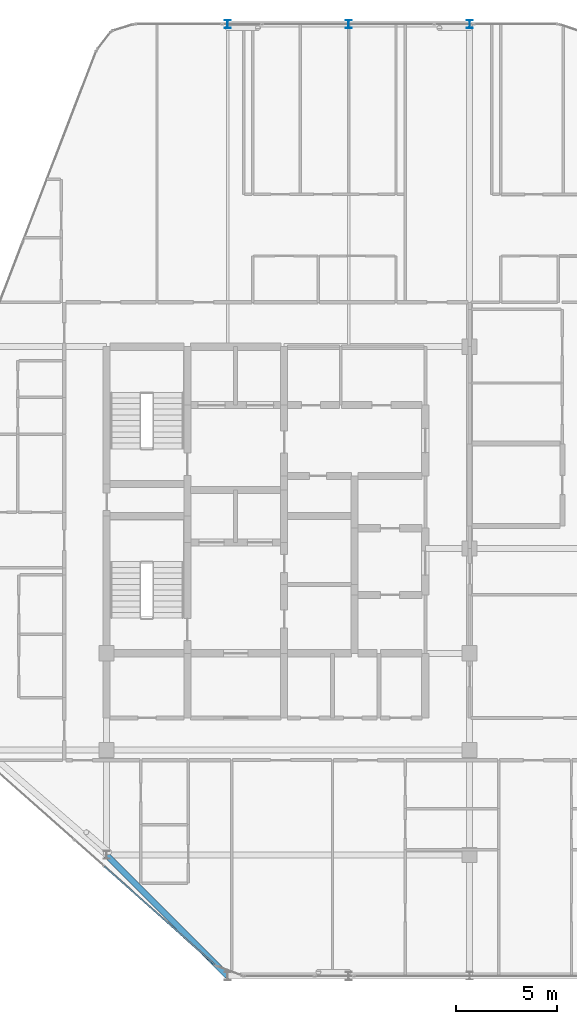
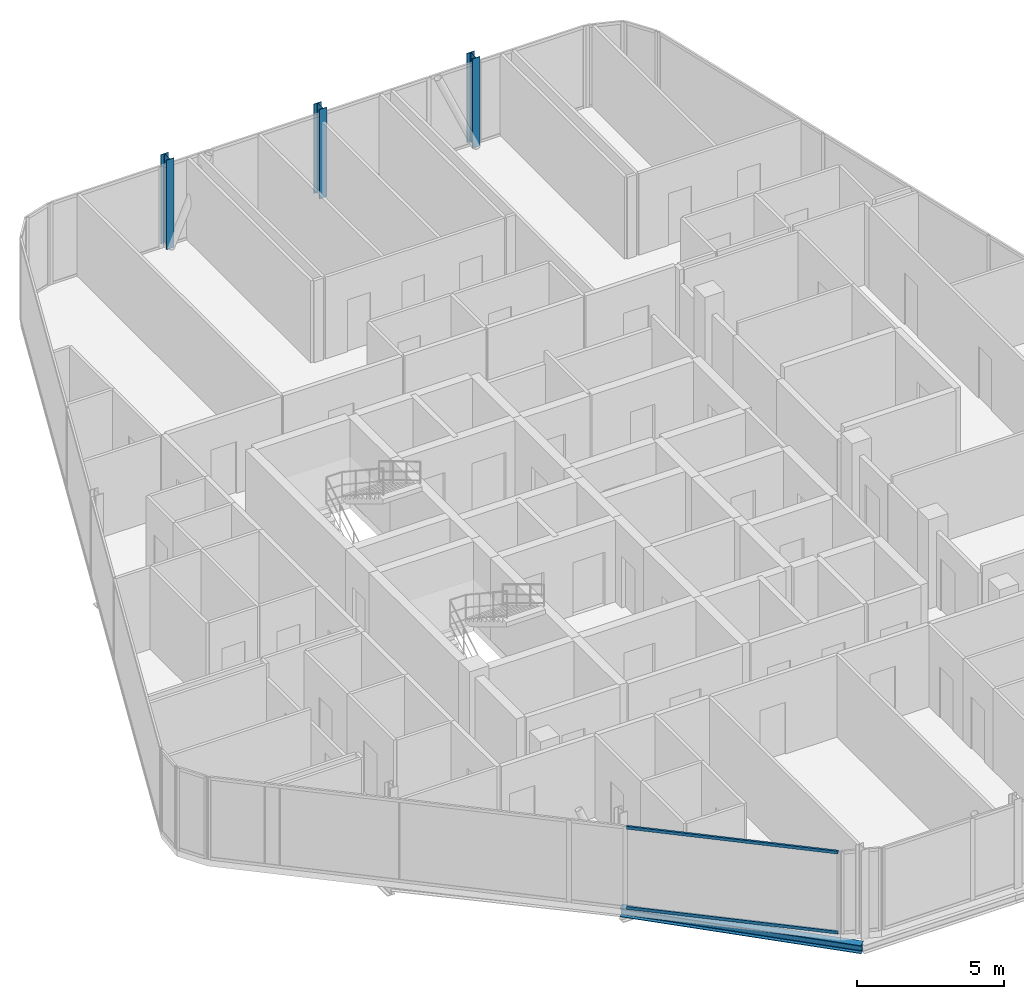
# One storey, part 2 of 27: 3 columns, 2 members, 1 beam, 1 element without a shape of its own.
"""IFC4 building model written with IfcOpenShell, lengths in metres."""

from ifc_helpers import new_model, si_unit, direction, frame, origin, origin_2d, place, context, subcontext, project, spatial, hollow_rectangle, i_section, extrude, material, layer, layer_set, material_profile, profile_set, type_object, element, aggregate, save


model = new_model("IFC4")

# Units and contexts
model_context = context("Model", 3, precision=1e-05, world=origin(), true_north=direction((0.0, 1.0)))
body_context = subcontext(model_context, "Body", "Model", "MODEL_VIEW")
ifc_project = project(units=[si_unit("LENGTHUNIT", "METRE"), si_unit("AREAUNIT", "SQUARE_METRE"), si_unit("VOLUMEUNIT", "CUBIC_METRE"), si_unit("PLANEANGLEUNIT", "RADIAN"), si_unit("MASSUNIT", "GRAM", prefix="KILO")], contexts=[model_context])

# Site, building, storey
site_placement = place(None, origin())
site = spatial("IfcSite", under=ifc_project, at=site_placement, CompositionType="ELEMENT")
building_placement = place(site_placement, origin())
building = spatial("IfcBuilding", under=site, at=building_placement, Name="Keshet Zoharim Tower", CompositionType="ELEMENT")
storey_placement = place(building_placement, frame((0.0, 0.0, 262.10009765625)))
storey = spatial("IfcBuildingStorey", under=building, at=storey_placement, Name="L65", CompositionType="ELEMENT", Elevation=262.10009765625)

# Columns
ifc_material_1 = material(Name="Steel S355", Category="steel")
ifc_material_profile_1 = material_profile(ifc_material_1, i_section(OverallWidth=0.300048828125, OverallDepth=0.39990234375, WebThickness=0.013427734375, FlangeThickness=0.02392578125, FilletRadius=0.027099609375, at=origin_2d()), Name="HEB400")
ifc_profile_set_1 = profile_set([ifc_material_profile_1], Name="Steel S355")
column_type = type_object("IfcColumnType", Name="COL-HEB400", PredefinedType="COLUMN", material=ifc_profile_set_1)
for number, where, z_axis, x_axis, name in (
    (1, (21.0, 53.89990234375, 0.0), (0.0, 0.0, 1.0), (1.0, 0.0, 0.0), "L65 Column 4L"),
    (2, (27.0, 53.89990234375, 0.0), (0.0, 0.0, 1.0), (1.0, 0.0, 0.0), "L65 Column 5L"),
    (3, (33.0, 53.89990234375, 0.0), (0.0, 0.0, 1.0), (1.0, 0.0, 0.0), "L65 Column 6L"),
):
    element("IfcColumn", number, at=place(storey_placement, frame(where, z_axis=z_axis, x_axis=x_axis)), inside=storey, type_object=column_type, Name=name, PredefinedType="COLUMN", context=body_context, shape_type="SweptSolid", body=[
        extrude(i_section(OverallWidth=0.300048828125, OverallDepth=0.39990234375, WebThickness=0.013427734375, FlangeThickness=0.02392578125, FilletRadius=0.027099609375, at=origin_2d()), origin(), (0.0, 0.0, 1.0), 3.699951171875),
    ])

# Beam
ifc_material_profile_2 = material_profile(ifc_material_1, i_section(OverallWidth=0.300048828125, OverallDepth=0.340087890625, WebThickness=0.011962890625, FlangeThickness=0.021484375, FilletRadius=0.027099609375, at=origin_2d()), Name="HEB340")
ifc_profile_set_2 = profile_set([ifc_material_profile_2], Name="Steel S355")
beam_type = type_object("IfcBeamType", Name="BM-SPN-HB340", PredefinedType="SPANDREL", material=ifc_profile_set_2)
beam_placement = place(storey_placement, frame((21.0, 6.699951171875, -0.47998046875), z_axis=(-0.707106781187, 0.707106781187, 0.0), x_axis=(-0.707106781187, -0.707106781187, 0.0)))
element("IfcBeam", 4, at=beam_placement, inside=storey, type_object=beam_type, Name="L65 Perimeter Spandrel Beam 01", PredefinedType="SPANDREL", context=body_context, shape_type="SweptSolid", body=[
    extrude(i_section(OverallWidth=0.300048828125, OverallDepth=0.340087890625, WebThickness=0.011962890625, FlangeThickness=0.021484375, FilletRadius=0.027099609375, at=origin_2d()), origin(), (0.0, 0.0, 1.0), 8.4853515625),
])

# Curtain wall, members
ifc_material_2 = material(Name="Aluminium 6063-T6", Category="aluminium")
ifc_layer = layer(ifc_material_2, 0.260009765625)
ifc_layer_set = layer_set([ifc_layer], Name="Aluminium 6063-T6")
curtain_wall_type = type_object("IfcCurtainWallType", Name="CW-SYS-06", PredefinedType="NOTDEFINED", material=ifc_layer_set)
curtain_wall_placement = place(storey_placement, origin())
curtain_wall = element("IfcCurtainWall", 5, at=curtain_wall_placement, inside=storey, type_object=curtain_wall_type, Name="L65 Unitised Curtain Wall 16", PredefinedType="NOTDEFINED")
ifc_material_profile_3 = material_profile(ifc_material_2, hollow_rectangle(XDim=0.074951171875, YDim=0.1201171875, WallThickness=0.00390625, at=origin_2d()), Name="TRN-75x120")
ifc_profile_set_3 = profile_set([ifc_material_profile_3], Name="Aluminium 6063-T6")
member_type = type_object("IfcMemberType", Name="CWT-T12", PredefinedType="USERDEFINED", material=ifc_profile_set_3)
member_1_placement = place(storey_placement, frame((20.379638671875, 7.25146484375, 0.034912109375), z_axis=(-0.747412985939, 0.664359713145, 0.0), x_axis=(-0.664359713145, -0.747412985939, 0.0)))
member_1 = element("IfcMember", 6, at=member_1_placement, type_object=member_type, Name="CW-06 transom 1.1", ObjectType="TRANSOM", PredefinedType="USERDEFINED", context=body_context, shape_type="SweptSolid", body=[
    extrude(hollow_rectangle(XDim=0.074951171875, YDim=0.1201171875, WallThickness=0.00390625, at=origin_2d()), origin(), (0.0, 0.0, 1.0), 7.345947265625),
])
member_2_placement = place(storey_placement, frame((20.379638671875, 7.25146484375, 3.35498046875), z_axis=(-0.747412985939, 0.664359713145, 0.0), x_axis=(-0.664359713145, -0.747412985939, 0.0)))
member_2 = element("IfcMember", 7, at=member_2_placement, type_object=member_type, Name="CW-06 transom 1.2", ObjectType="TRANSOM", PredefinedType="USERDEFINED", context=body_context, shape_type="SweptSolid", body=[
    extrude(hollow_rectangle(XDim=0.074951171875, YDim=0.1201171875, WallThickness=0.00390625, at=origin_2d()), origin(), (0.0, 0.0, 1.0), 7.345947265625),
])
aggregate(curtain_wall, [member_1, member_2])

save(model, "model.ifc")
